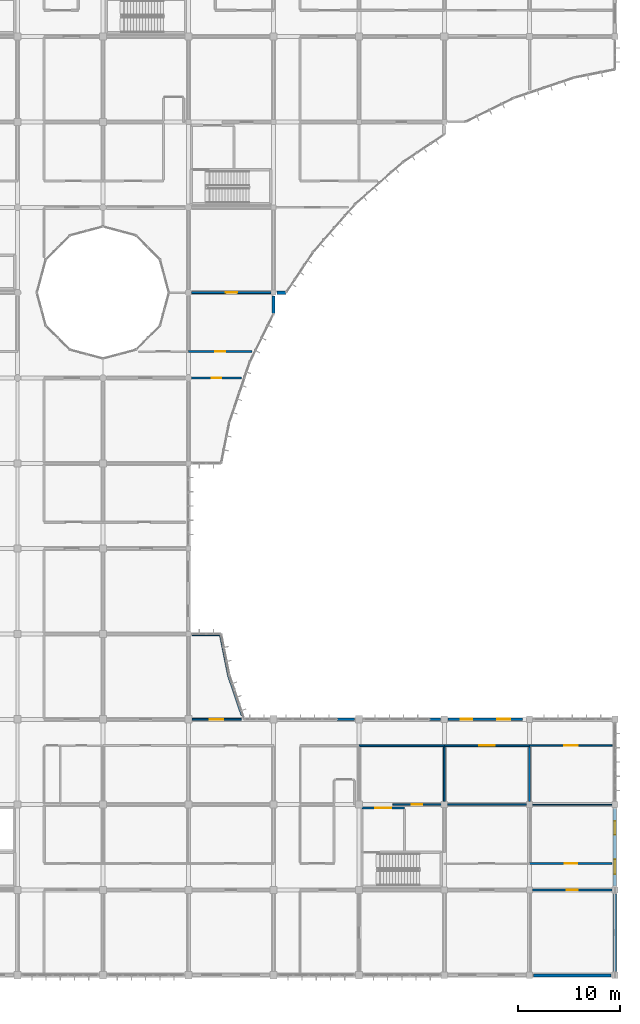
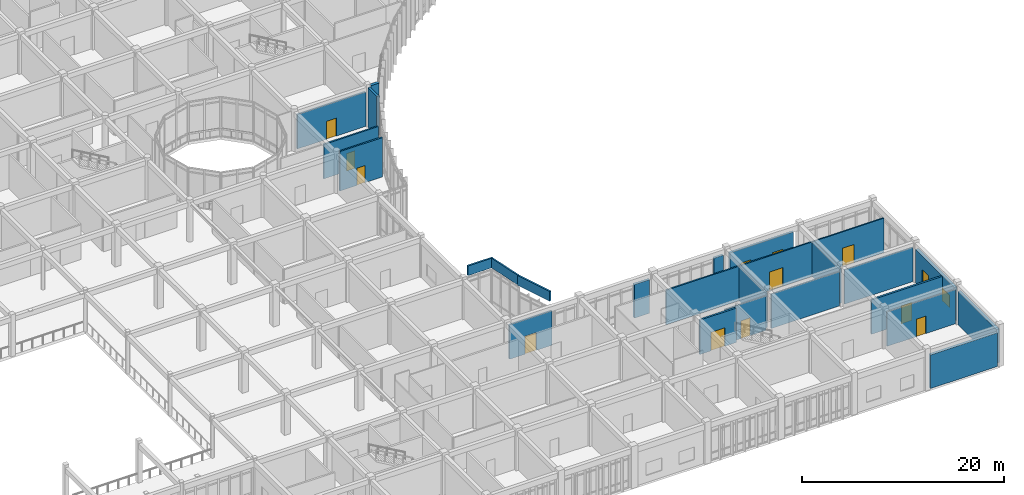
# One storey, part 109 of 134: 26 walls, 10 doors, 4 windows, 14 openings.
"""IFC4 building model written with IfcOpenShell, lengths in metres."""

from ifc_helpers import new_model, si_unit, direction, frame, frame_2d, origin, place, context, subcontext, project, spatial, rectangle, extrude, material, layer, layer_set, type_object, element, fill, save


model = new_model("IFC4")

# Units and contexts
model_context = context("Model", 3, precision=1e-05, world=origin(), true_north=direction((0.0, 1.0)))
body_context = subcontext(model_context, "Body", "Model", "MODEL_VIEW")
ifc_project = project(units=[si_unit("LENGTHUNIT", "METRE"), si_unit("AREAUNIT", "SQUARE_METRE"), si_unit("VOLUMEUNIT", "CUBIC_METRE"), si_unit("PLANEANGLEUNIT", "RADIAN"), si_unit("MASSUNIT", "GRAM", prefix="KILO")], contexts=[model_context])

# Site, building, storey
site_placement = place(None, origin())
site = spatial("IfcSite", under=ifc_project, at=site_placement, CompositionType="ELEMENT")
building_placement = place(site_placement, origin())
building = spatial("IfcBuilding", under=site, at=building_placement, Name="Bramfleet General Hospital", CompositionType="ELEMENT")
storey_placement = place(building_placement, frame((0.0, 0.0, 9.300048828125)))
storey = spatial("IfcBuildingStorey", under=building, at=storey_placement, Name="L02", CompositionType="ELEMENT", Elevation=9.300048828125)

# Wall, openings, windows
ifc_material_1 = material(Name="Precast concrete C40/50", Category="concrete")
ifc_layer_1 = layer(ifc_material_1, 0.3349609375, Name="WT-EW-03")
ifc_layer_set_1 = layer_set([ifc_layer_1], Name="Precast concrete C40/50")
wall_type_1 = type_object("IfcWallType", Name="WT-EW-03", PredefinedType="SOLIDWALL", material=ifc_layer_set_1)
wall_1_placement = place(storey_placement, frame((168.0, 16.425048828125, 0.0), z_axis=(0.0, 0.0, 1.0), x_axis=(0.0, -1.0, 0.0)))
wall_1 = element("IfcWall", 1, at=wall_1_placement, inside=storey, type_object=wall_type_1, Name="L02 Exterior Wall 225", PredefinedType="SOLIDWALL", context=body_context, shape_type="SweptSolid", body=[
    extrude(rectangle(XDim=7.650146484375, YDim=0.3349609375, at=frame_2d((3.8251953125, 0.0))), origin(), (0.0, 0.0, 1.0), 4.070068359375),
])
opening_1_placement = place(wall_1_placement, frame((1.237548828125, 0.0, 0.85009765625)))
opening_1 = element("IfcOpeningElement", 2, at=opening_1_placement, cuts=wall_1, Name="Opening W-24", PredefinedType="OPENING", context=body_context, shape_type="SweptSolid", body=[
    extrude(rectangle(XDim=1.35009765625, YDim=1.5400390625, at=frame_2d((0.675048828125, 0.77001953125))), frame((0.0, 0.177490234375, 0.0), z_axis=(0.0, -1.0, 0.0), x_axis=(1.0, 0.0, 0.0)), (0.0, 0.0, 1.0), 0.35498046875),
])
opening_2_placement = place(wall_1_placement, frame((5.012451171875, 0.0, 0.85009765625)))
opening_2 = element("IfcOpeningElement", 3, at=opening_2_placement, cuts=wall_1, Name="Opening W-25", PredefinedType="OPENING", context=body_context, shape_type="SweptSolid", body=[
    extrude(rectangle(XDim=1.449951171875, YDim=1.5400390625, at=frame_2d((0.72509765625, 0.77001953125))), frame((0.0, 0.177490234375, 0.0), z_axis=(0.0, -1.0, 0.0), x_axis=(1.0, 0.0, 0.0)), (0.0, 0.0, 1.0), 0.35498046875),
])
ifc_material_2 = material(Name="Anodised aluminium and low-E triple glazing", Category="aluminium")
window_type_1 = type_object("IfcWindowType", Name="WIN-W-24", PartitioningType="SINGLE_PANEL", PredefinedType="WINDOW", material=ifc_material_2)
window_1_placement = place(opening_1_placement, origin())
window_1 = element("IfcWindow", 4, at=window_1_placement, inside=storey, type_object=window_type_1, Name="L02 Facade Window WIN-L02-225-1", OverallHeight=1.5400390625, OverallWidth=1.35009765625, PartitioningType="SINGLE_PANEL", PredefinedType="WINDOW", context=body_context, shape_type="SweptSolid", body=[
    extrude(rectangle(XDim=1.35009765625, YDim=1.5400390625, at=frame_2d((0.675048828125, 0.77001953125))), frame((0.0, 0.030029296875, 0.0), z_axis=(0.0, -1.0, 0.0), x_axis=(1.0, 0.0, 0.0)), (0.0, 0.0, 1.0), 0.06005859375),
])
fill(opening_1, window_1)
window_type_2 = type_object("IfcWindowType", Name="WIN-W-25", PartitioningType="SINGLE_PANEL", PredefinedType="WINDOW", material=ifc_material_2)
window_2_placement = place(opening_2_placement, origin())
window_2 = element("IfcWindow", 5, at=window_2_placement, inside=storey, type_object=window_type_2, Name="L02 Facade Window WIN-L02-225-2", OverallHeight=1.5400390625, OverallWidth=1.449951171875, PartitioningType="SINGLE_PANEL", PredefinedType="WINDOW", context=body_context, shape_type="SweptSolid", body=[
    extrude(rectangle(XDim=1.449951171875, YDim=1.5400390625, at=frame_2d((0.72509765625, 0.77001953125))), frame((0.0, 0.030029296875, 0.0), z_axis=(0.0, -1.0, 0.0), x_axis=(1.0, 0.0, 0.0)), (0.0, 0.0, 1.0), 0.06005859375),
])
fill(opening_2, window_2)

# Walls
ifc_layer_2 = layer(ifc_material_1, 0.31494140625, Name="WT-EW-04")
ifc_layer_set_2 = layer_set([ifc_layer_2], Name="Precast concrete C40/50")
wall_type_2 = type_object("IfcWallType", Name="WT-EW-04", PredefinedType="SOLIDWALL", material=ifc_layer_set_2)
wall_2_placement = place(storey_placement, frame((135.633056640625, 67.199951171875, 0.0), z_axis=(0.0, 0.0, 1.0), x_axis=(-1.0, 0.0, 0.0)))
element("IfcWall", 6, at=wall_2_placement, inside=storey, type_object=wall_type_2, Name="L02 Exterior Wall 219", PredefinedType="SOLIDWALL", context=body_context, shape_type="SweptSolid", body=[
    extrude(rectangle(XDim=0.907958984375, YDim=0.31494140625, at=frame_2d((0.4541015625, 0.0))), origin(), (0.0, 0.0, 1.0), 4.77001953125),
])
wall_3_placement = place(storey_placement, frame((168.0, 8.02490234375, 0.0), z_axis=(0.0, 0.0, 1.0), x_axis=(0.0, -1.0, 0.0)))
element("IfcWall", 7, at=wall_3_placement, inside=storey, type_object=wall_type_2, Name="L02 Exterior Wall 226", PredefinedType="SOLIDWALL", context=body_context, shape_type="SweptSolid", body=[
    extrude(rectangle(XDim=7.64990234375, YDim=0.31494140625, at=frame_2d((3.824951171875, 0.0))), origin(), (0.0, 0.0, 1.0), 4.070068359375),
])
ifc_layer_3 = layer(ifc_material_1, 0.294921875, Name="WT-EW-05")
ifc_layer_set_3 = layer_set([ifc_layer_3], Name="Precast concrete C40/50")
wall_type_3 = type_object("IfcWallType", Name="WT-EW-05", PredefinedType="SOLIDWALL", material=ifc_layer_set_3)
wall_4_placement = place(storey_placement, frame((134.39990234375, 66.875, 0.0), z_axis=(0.0, 0.0, 1.0), x_axis=(0.0, -1.0, 0.0)))
element("IfcWall", 8, at=wall_4_placement, inside=storey, type_object=wall_type_3, Name="L02 Exterior Wall 220", PredefinedType="SOLIDWALL", context=body_context, shape_type="SweptSolid", body=[
    extrude(rectangle(XDim=1.7490234375, YDim=0.294921875, at=frame_2d((0.87451171875, 0.0))), origin(), (0.0, 0.0, 1.0), 4.77001953125),
])
wall_5_placement = place(storey_placement, frame((167.625, 0.0, 0.0), z_axis=(0.0, 0.0, 1.0), x_axis=(-1.0, 0.0, 0.0)))
element("IfcWall", 9, at=wall_5_placement, inside=storey, type_object=wall_type_3, Name="L02 Exterior Wall 227", PredefinedType="SOLIDWALL", context=body_context, shape_type="SweptSolid", body=[
    extrude(rectangle(XDim=7.64990234375, YDim=0.294921875, at=frame_2d((3.824951171875, 0.0))), origin(), (0.0, 0.0, 1.0), 4.070068359375),
])
ifc_layer_4 = layer(ifc_material_1, 0.264892578125, Name="WT-EW-07")
ifc_layer_set_4 = layer_set([ifc_layer_4], Name="Precast concrete C40/50")
wall_type_4 = type_object("IfcWallType", Name="WT-EW-07", PredefinedType="SOLIDWALL", material=ifc_layer_set_4)
wall_6_placement = place(storey_placement, frame((140.64111328125, 25.199951171875, 0.0), z_axis=(0.0, 0.0, 1.0), x_axis=(1.0, 0.0, 0.0)))
element("IfcWall", 10, at=wall_6_placement, inside=storey, type_object=wall_type_4, Name="L02 Exterior Wall 222", PredefinedType="SOLIDWALL", context=body_context, shape_type="SweptSolid", body=[
    extrude(rectangle(XDim=1.73388671875, YDim=0.264892578125, at=frame_2d((0.866943359375, 0.0))), origin(), (0.0, 0.0, 1.0), 4.070068359375),
])
ifc_layer_5 = layer(ifc_material_1, 0.25, Name="WT-EW-08")
ifc_layer_set_5 = layer_set([ifc_layer_5], Name="Precast concrete C40/50")
wall_type_5 = type_object("IfcWallType", Name="WT-EW-08", PredefinedType="SOLIDWALL", material=ifc_layer_set_5)
wall_7_placement = place(storey_placement, frame((149.760986328125, 25.199951171875, 0.0), z_axis=(0.0, 0.0, 1.0), x_axis=(1.0, 0.0, 0.0)))
element("IfcWall", 11, at=wall_7_placement, inside=storey, type_object=wall_type_5, Name="L02 Exterior Wall 223", PredefinedType="SOLIDWALL", context=body_context, shape_type="SweptSolid", body=[
    extrude(rectangle(XDim=1.06396484375, YDim=0.25, at=frame_2d((0.531982421875, 0.0))), origin(), (0.0, 0.0, 1.0), 4.070068359375),
])

# Wall, openings, windows
ifc_layer_6 = layer(ifc_material_1, 0.235107421875, Name="WT-EW-09")
ifc_layer_set_6 = layer_set([ifc_layer_6], Name="Precast concrete C40/50")
wall_type_6 = type_object("IfcWallType", Name="WT-EW-09", PredefinedType="SOLIDWALL", material=ifc_layer_set_6)
wall_8_placement = place(storey_placement, frame((151.574951171875, 25.199951171875, 0.0), z_axis=(0.0, 0.0, 1.0), x_axis=(1.0, 0.0, 0.0)))
wall_8 = element("IfcWall", 12, at=wall_8_placement, inside=storey, type_object=wall_type_6, Name="L02 Exterior Wall 224", PredefinedType="SOLIDWALL", context=body_context, shape_type="SweptSolid", body=[
    extrude(rectangle(XDim=7.304931640625, YDim=0.235107421875, at=frame_2d((3.65234375, 0.0))), origin(), (0.0, 0.0, 1.0), 4.070068359375),
])
opening_3_placement = place(wall_8_placement, frame((1.251220703125, 0.0, 0.85009765625)))
opening_3 = element("IfcOpeningElement", 13, at=opening_3_placement, cuts=wall_8, Name="Opening W-22", PredefinedType="OPENING", context=body_context, shape_type="SweptSolid", body=[
    extrude(rectangle(XDim=1.14990234375, YDim=1.5400390625, at=frame_2d((0.574951171875, 0.77001953125))), frame((0.0, 0.12744140625, 0.0), z_axis=(0.0, -1.0, 0.0), x_axis=(1.0, 0.0, 0.0)), (0.0, 0.0, 1.0), 0.255126953125),
])
opening_4_placement = place(wall_8_placement, frame((4.853759765625, 0.0, 0.85009765625)))
opening_4 = element("IfcOpeningElement", 14, at=opening_4_placement, cuts=wall_8, Name="Opening W-23", PredefinedType="OPENING", context=body_context, shape_type="SweptSolid", body=[
    extrude(rectangle(XDim=1.25, YDim=1.5400390625, at=frame_2d((0.625, 0.77001953125))), frame((0.0, 0.12744140625, 0.0), z_axis=(0.0, -1.0, 0.0), x_axis=(1.0, 0.0, 0.0)), (0.0, 0.0, 1.0), 0.255126953125),
])
window_type_3 = type_object("IfcWindowType", Name="WIN-W-22", PartitioningType="SINGLE_PANEL", PredefinedType="WINDOW", material=ifc_material_2)
window_3_placement = place(opening_3_placement, origin())
window_3 = element("IfcWindow", 15, at=window_3_placement, inside=storey, type_object=window_type_3, Name="L02 Facade Window WIN-L02-224-1", OverallHeight=1.5400390625, OverallWidth=1.14990234375, PartitioningType="SINGLE_PANEL", PredefinedType="WINDOW", context=body_context, shape_type="SweptSolid", body=[
    extrude(rectangle(XDim=1.14990234375, YDim=1.5400390625, at=frame_2d((0.574951171875, 0.77001953125))), frame((0.0, 0.030029296875, 0.0), z_axis=(0.0, -1.0, 0.0), x_axis=(1.0, 0.0, 0.0)), (0.0, 0.0, 1.0), 0.06005859375),
])
fill(opening_3, window_3)
window_type_4 = type_object("IfcWindowType", Name="WIN-W-23", PartitioningType="SINGLE_PANEL", PredefinedType="WINDOW", material=ifc_material_2)
window_4_placement = place(opening_4_placement, origin())
window_4 = element("IfcWindow", 16, at=window_4_placement, inside=storey, type_object=window_type_4, Name="L02 Facade Window WIN-L02-224-2", OverallHeight=1.5400390625, OverallWidth=1.25, PartitioningType="SINGLE_PANEL", PredefinedType="WINDOW", context=body_context, shape_type="SweptSolid", body=[
    extrude(rectangle(XDim=1.25, YDim=1.5400390625, at=frame_2d((0.625, 0.77001953125))), frame((0.0, 0.030029296875, 0.0), z_axis=(0.0, -1.0, 0.0), x_axis=(1.0, 0.0, 0.0)), (0.0, 0.0, 1.0), 0.06005859375),
])
fill(opening_4, window_4)

# Wall, opening, door
ifc_material_3 = material(Name="Concrete C35/45", Category="concrete")
ifc_layer_7 = layer(ifc_material_3, 0.219970703125, Name="WT-IW-01")
ifc_layer_set_7 = layer_set([ifc_layer_7], Name="Concrete C35/45")
wall_type_7 = type_object("IfcWallType", Name="WT-IW-01", PredefinedType="PARTITIONING", material=ifc_layer_set_7)
wall_9_placement = place(storey_placement, frame((159.60009765625, 11.0, 0.0), z_axis=(0.0, 0.0, 1.0), x_axis=(1.0, 0.0, 0.0)))
wall_9 = element("IfcWall", 17, at=wall_9_placement, inside=storey, type_object=wall_type_7, Name="L02 Interior Partition IW-L02-1945", PredefinedType="PARTITIONING", context=body_context, shape_type="SweptSolid", body=[
    extrude(rectangle(XDim=8.119873046875, YDim=0.219970703125, at=frame_2d((4.06005859375, 0.0))), origin(), (0.0, 0.0, 1.0), 4.169921875),
])
opening_5_placement = place(wall_9_placement, frame((3.449951171875, 0.0, 0.0)))
opening_5 = element("IfcOpeningElement", 18, at=opening_5_placement, cuts=wall_9, Name="Opening D1015", PredefinedType="OPENING", context=body_context, shape_type="SweptSolid", body=[
    extrude(rectangle(XDim=1.219970703125, YDim=2.179931640625, at=frame_2d((0.60986328125, 1.08984375))), frame((0.0, 0.119873046875, 0.0), z_axis=(0.0, -1.0, 0.0), x_axis=(1.0, 0.0, 0.0)), (0.0, 0.0, 1.0), 0.239990234375),
])
ifc_material_4 = material(Name="Stainless steel and acoustic timber leaf", Category="steel")
door_type_1 = type_object("IfcDoorType", Name="DR-D-23", OperationType="NOTDEFINED", PredefinedType="DOOR", material=ifc_material_4)
door_1_placement = place(opening_5_placement, origin())
door_1 = element("IfcDoor", 19, at=door_1_placement, inside=storey, type_object=door_type_1, Name="Outpatient Physiotherapy Clinic L02-1901 Door D1015", OperationType="SINGLE_SWING_RIGHT", OverallHeight=2.179931640625, OverallWidth=1.219970703125, PredefinedType="DOOR", context=body_context, shape_type="SweptSolid", body=[
    extrude(rectangle(XDim=1.219970703125, YDim=2.179931640625, at=frame_2d((0.60986328125, 1.08984375))), frame((0.0, 0.02490234375, 0.0), z_axis=(0.0, -1.0, 0.0), x_axis=(1.0, 0.0, 0.0)), (0.0, 0.0, 1.0), 0.050048828125),
])
fill(opening_5, door_1)

# Wall
wall_10_placement = place(storey_placement, frame((159.60009765625, 17.094970703125, 0.0), z_axis=(0.0, 0.0, 1.0), x_axis=(0.0, 1.0, 0.0)))
element("IfcWall", 20, at=wall_10_placement, inside=storey, type_object=wall_type_7, Name="L02 Interior Partition IW-L02-2449", PredefinedType="PARTITIONING", context=body_context, shape_type="SweptSolid", body=[
    extrude(rectangle(XDim=5.39013671875, YDim=0.219970703125, at=frame_2d((2.695068359375, 0.0))), origin(), (0.0, 0.0, 1.0), 4.169921875),
])

# Wall, opening, door
ifc_layer_8 = layer(ifc_material_3, 0.205078125, Name="WT-IW-02")
ifc_layer_set_8 = layer_set([ifc_layer_8], Name="Concrete C35/45")
wall_type_8 = type_object("IfcWallType", Name="WT-IW-02", PredefinedType="PARTITIONING", material=ifc_layer_set_8)
wall_11_placement = place(storey_placement, frame((143.10009765625, 16.47998046875, 0.0), z_axis=(0.0, 0.0, 1.0), x_axis=(1.0, 0.0, 0.0)))
wall_11 = element("IfcWall", 21, at=wall_11_placement, inside=storey, type_object=wall_type_8, Name="L02 C10 Lobby North Compartment Wall", PredefinedType="PARTITIONING", context=body_context, shape_type="SweptSolid", body=[
    extrude(rectangle(XDim=4.179931640625, YDim=0.205078125, at=frame_2d((2.08984375, 0.0))), origin(), (0.0, 0.0, 1.0), 4.169921875),
])
opening_6_placement = place(wall_11_placement, frame((1.2900390625, 0.0, 0.0)))
opening_6 = element("IfcOpeningElement", 22, at=opening_6_placement, cuts=wall_11, Name="Opening D0130", PredefinedType="OPENING", context=body_context, shape_type="SweptSolid", body=[
    extrude(rectangle(XDim=1.60009765625, YDim=2.25, at=frame_2d((0.800048828125, 1.125))), frame((0.0, 0.112548828125, 0.0), z_axis=(0.0, -1.0, 0.0), x_axis=(1.0, 0.0, 0.0)), (0.0, 0.0, 1.0), 0.22509765625),
])
door_type_2 = type_object("IfcDoorType", Name="DR-D-04", OperationType="NOTDEFINED", PredefinedType="DOOR", material=ifc_material_4)
door_2_placement = place(opening_6_placement, origin())
door_2 = element("IfcDoor", 23, at=door_2_placement, inside=storey, type_object=door_type_2, Name="L02 C10 Lobby Fire Door D0130", OperationType="DOUBLE_SWING_LEFT", OverallHeight=2.25, OverallWidth=1.60009765625, PredefinedType="DOOR", context=body_context, shape_type="SweptSolid", body=[
    extrude(rectangle(XDim=1.60009765625, YDim=2.25, at=frame_2d((0.800048828125, 1.125))), frame((0.0, 0.02490234375, 0.0), z_axis=(0.0, -1.0, 0.0), x_axis=(1.0, 0.0, 0.0)), (0.0, 0.0, 1.0), 0.050048828125),
])
fill(opening_6, door_2)

ifc_layer_9 = layer(ifc_material_3, 0.179931640625, Name="WT-IW-04")
ifc_layer_set_9 = layer_set([ifc_layer_9], Name="Concrete C35/45")
wall_type_9 = type_object("IfcWallType", Name="WT-IW-04", PredefinedType="PARTITIONING", material=ifc_layer_set_9)
wall_12_placement = place(storey_placement, frame((126.344970703125, 25.199951171875, 0.0), z_axis=(0.0, 0.0, 1.0), x_axis=(1.0, 0.0, 0.0)))
wall_12 = element("IfcWall", 24, at=wall_12_placement, inside=storey, type_object=wall_type_9, Name="L02 Interior Partition IW-L02-1966", PredefinedType="PARTITIONING", context=body_context, shape_type="SweptSolid", body=[
    extrude(rectangle(XDim=4.88037109375, YDim=0.179931640625, at=frame_2d((2.440185546875, 0.0))), origin(), (0.0, 0.0, 1.0), 4.169921875),
])
opening_7_placement = place(wall_12_placement, frame((1.7802734375, 0.0, 0.0)))
opening_7 = element("IfcOpeningElement", 25, at=opening_7_placement, cuts=wall_12, Name="Opening D0984", PredefinedType="OPENING", context=body_context, shape_type="SweptSolid", body=[
    extrude(rectangle(XDim=1.320068359375, YDim=2.179931640625, at=frame_2d((0.66015625, 1.08984375))), frame((0.0, 0.099853515625, 0.0), z_axis=(0.0, -1.0, 0.0), x_axis=(1.0, 0.0, 0.0)), (0.0, 0.0, 1.0), 0.199951171875),
])
door_type_3 = type_object("IfcDoorType", Name="DR-D-24", OperationType="NOTDEFINED", PredefinedType="DOOR", material=ifc_material_4)
door_3_placement = place(opening_7_placement, origin())
door_3 = element("IfcDoor", 26, at=door_3_placement, inside=storey, type_object=door_type_3, Name="Interventional Cardiology Cath Lab L02-1503 Door D0984", OperationType="SINGLE_SWING_LEFT", OverallHeight=2.179931640625, OverallWidth=1.320068359375, PredefinedType="DOOR", context=body_context, shape_type="SweptSolid", body=[
    extrude(rectangle(XDim=1.320068359375, YDim=2.179931640625, at=frame_2d((0.66015625, 1.08984375))), frame((0.0, 0.02490234375, 0.0), z_axis=(0.0, -1.0, 0.0), x_axis=(1.0, 0.0, 0.0)), (0.0, 0.0, 1.0), 0.050048828125),
])
fill(opening_7, door_3)

wall_13_placement = place(storey_placement, frame((126.320068359375, 58.800048828125, 0.0), z_axis=(0.0, 0.0, 1.0), x_axis=(1.0, 0.0, 0.0)))
wall_13 = element("IfcWall", 27, at=wall_13_placement, inside=storey, type_object=wall_type_9, Name="L02 Interior Partition IW-L02-1984", PredefinedType="PARTITIONING", context=body_context, shape_type="SweptSolid", body=[
    extrude(rectangle(XDim=4.90576171875, YDim=0.179931640625, at=frame_2d((2.452880859375, 0.0))), origin(), (0.0, 0.0, 1.0), 4.77001953125),
])
opening_8_placement = place(wall_13_placement, frame((1.992919921875, 0.0, 0.0)))
opening_8 = element("IfcOpeningElement", 28, at=opening_8_placement, cuts=wall_13, Name="Opening D0985", PredefinedType="OPENING", context=body_context, shape_type="SweptSolid", body=[
    extrude(rectangle(XDim=0.919921875, YDim=2.080078125, at=frame_2d((0.4599609375, 1.0400390625))), frame((0.0, 0.099853515625, 0.0), z_axis=(0.0, -1.0, 0.0), x_axis=(1.0, 0.0, 0.0)), (0.0, 0.0, 1.0), 0.199951171875),
])
door_type_4 = type_object("IfcDoorType", Name="DR-D-25", OperationType="NOTDEFINED", PredefinedType="DOOR", material=ifc_material_4)
door_4_placement = place(opening_8_placement, origin())
door_4 = element("IfcDoor", 29, at=door_4_placement, inside=storey, type_object=door_type_4, Name="Interventional Cardiology Cath Lab L02-1506 Door D0985", OperationType="SINGLE_SWING_RIGHT", OverallHeight=2.080078125, OverallWidth=0.919921875, PredefinedType="DOOR", context=body_context, shape_type="SweptSolid", body=[
    extrude(rectangle(XDim=0.919921875, YDim=2.080078125, at=frame_2d((0.4599609375, 1.0400390625))), frame((0.0, 0.02490234375, 0.0), z_axis=(0.0, -1.0, 0.0), x_axis=(1.0, 0.0, 0.0)), (0.0, 0.0, 1.0), 0.050048828125),
])
fill(opening_8, door_4)

wall_14_placement = place(storey_placement, frame((126.0, 61.39990234375, 0.0), z_axis=(0.0, 0.0, 1.0), x_axis=(1.0, 0.0, 0.0)))
wall_14 = element("IfcWall", 30, at=wall_14_placement, inside=storey, type_object=wall_type_9, Name="L02 Interior Partition IW-L02-1999", PredefinedType="PARTITIONING", context=body_context, shape_type="SweptSolid", body=[
    extrude(rectangle(XDim=6.250244140625, YDim=0.179931640625, at=frame_2d((3.125, 0.0))), origin(), (0.0, 0.0, 1.0), 4.169921875),
])
opening_9_placement = place(wall_14_placement, frame((2.63525390625, 0.0, 0.0)))
opening_9 = element("IfcOpeningElement", 31, at=opening_9_placement, cuts=wall_14, Name="Opening D0986", PredefinedType="OPENING", context=body_context, shape_type="SweptSolid", body=[
    extrude(rectangle(XDim=0.97998046875, YDim=2.1201171875, at=frame_2d((0.489990234375, 1.06005859375))), frame((0.0, 0.099853515625, 0.0), z_axis=(0.0, -1.0, 0.0), x_axis=(1.0, 0.0, 0.0)), (0.0, 0.0, 1.0), 0.199951171875),
])
door_type_5 = type_object("IfcDoorType", Name="DR-D-26", OperationType="NOTDEFINED", PredefinedType="DOOR", material=ifc_material_4)
door_5_placement = place(opening_9_placement, origin())
door_5 = element("IfcDoor", 32, at=door_5_placement, inside=storey, type_object=door_type_5, Name="Interventional Cardiology Cath Lab L02-1507 Door D0986", OperationType="SINGLE_SWING_LEFT", OverallHeight=2.1201171875, OverallWidth=0.97998046875, PredefinedType="DOOR", context=body_context, shape_type="SweptSolid", body=[
    extrude(rectangle(XDim=0.97998046875, YDim=2.1201171875, at=frame_2d((0.489990234375, 1.06005859375))), frame((0.0, 0.02490234375, 0.0), z_axis=(0.0, -1.0, 0.0), x_axis=(1.0, 0.0, 0.0)), (0.0, 0.0, 1.0), 0.050048828125),
])
fill(opening_9, door_5)

wall_15_placement = place(storey_placement, frame((126.320068359375, 67.199951171875, 0.0), z_axis=(0.0, 0.0, 1.0), x_axis=(1.0, 0.0, 0.0)))
wall_15 = element("IfcWall", 33, at=wall_15_placement, inside=storey, type_object=wall_type_9, Name="L02 Interior Partition IW-L02-2014", PredefinedType="PARTITIONING", context=body_context, shape_type="SweptSolid", body=[
    extrude(rectangle(XDim=7.8349609375, YDim=0.179931640625, at=frame_2d((3.91748046875, 0.0))), origin(), (0.0, 0.0, 1.0), 4.169921875),
])
opening_10_placement = place(wall_15_placement, frame((3.357421875, 0.0, 0.0)))
opening_10 = element("IfcOpeningElement", 34, at=opening_10_placement, cuts=wall_15, Name="Opening D0987", PredefinedType="OPENING", context=body_context, shape_type="SweptSolid", body=[
    extrude(rectangle(XDim=1.1201171875, YDim=2.179931640625, at=frame_2d((0.56005859375, 1.08984375))), frame((0.0, 0.099853515625, 0.0), z_axis=(0.0, -1.0, 0.0), x_axis=(1.0, 0.0, 0.0)), (0.0, 0.0, 1.0), 0.199951171875),
])
door_type_6 = type_object("IfcDoorType", Name="DR-D-27", OperationType="NOTDEFINED", PredefinedType="DOOR", material=ifc_material_4)
door_6_placement = place(opening_10_placement, origin())
door_6 = element("IfcDoor", 35, at=door_6_placement, inside=storey, type_object=door_type_6, Name="Interventional Cardiology Cath Lab L02-1508 Door D0987", OperationType="SINGLE_SWING_RIGHT", OverallHeight=2.179931640625, OverallWidth=1.1201171875, PredefinedType="DOOR", context=body_context, shape_type="SweptSolid", body=[
    extrude(rectangle(XDim=1.1201171875, YDim=2.179931640625, at=frame_2d((0.56005859375, 1.08984375))), frame((0.0, 0.02490234375, 0.0), z_axis=(0.0, -1.0, 0.0), x_axis=(1.0, 0.0, 0.0)), (0.0, 0.0, 1.0), 0.050048828125),
])
fill(opening_10, door_6)

# Walls
ifc_material_5 = material(Name="Gypsum plasterboard on acoustic steel studs", Category="steel")
ifc_layer_10 = layer(ifc_material_5, 0.169921875, Name="WT-IW-05")
ifc_layer_set_10 = layer_set([ifc_layer_10], Name="Gypsum plasterboard on acoustic steel studs")
wall_type_10 = type_object("IfcWallType", Name="WT-IW-05", PredefinedType="PARTITIONING", material=ifc_layer_set_10)
wall_16_placement = place(storey_placement, frame((142.800048828125, 22.60009765625, 0.0), z_axis=(0.0, 0.0, 1.0), x_axis=(1.0, 0.0, 0.0)))
element("IfcWall", 36, at=wall_16_placement, inside=storey, type_object=wall_type_10, Name="L02 Interior Partition IW-L02-1961", PredefinedType="PARTITIONING", context=body_context, shape_type="SweptSolid", body=[
    extrude(rectangle(XDim=8.39990234375, YDim=0.169921875, at=frame_2d((4.199951171875, 0.0))), origin(), (0.0, 0.0, 1.0), 4.169921875),
])
wall_17_placement = place(storey_placement, frame((151.199951171875, 17.094970703125, 0.0), z_axis=(0.0, 0.0, 1.0), x_axis=(0.0, 1.0, 0.0)))
element("IfcWall", 37, at=wall_17_placement, inside=storey, type_object=wall_type_10, Name="L02 Interior Partition IW-L02-2441", PredefinedType="PARTITIONING", context=body_context, shape_type="SweptSolid", body=[
    extrude(rectangle(XDim=5.39013671875, YDim=0.169921875, at=frame_2d((2.695068359375, 0.0))), origin(), (0.0, 0.0, 1.0), 4.169921875),
])

# Wall, opening, door
ifc_layer_11 = layer(ifc_material_5, 0.159912109375, Name="WT-IW-06")
ifc_layer_set_11 = layer_set([ifc_layer_11], Name="Gypsum plasterboard on acoustic steel studs")
wall_type_11 = type_object("IfcWallType", Name="WT-IW-06", PredefinedType="PARTITIONING", material=ifc_layer_set_11)
wall_18_placement = place(storey_placement, frame((159.89501953125, 8.39990234375, 0.0), z_axis=(0.0, 0.0, 1.0), x_axis=(1.0, 0.0, 0.0)))
wall_18 = element("IfcWall", 38, at=wall_18_placement, inside=storey, type_object=wall_type_11, Name="L02 Interior Partition IW-L02-1938", PredefinedType="PARTITIONING", context=body_context, shape_type="SweptSolid", body=[
    extrude(rectangle(XDim=7.81005859375, YDim=0.159912109375, at=frame_2d((3.905029296875, 0.0))), origin(), (0.0, 0.0, 1.0), 4.169921875),
])
opening_11_placement = place(wall_18_placement, frame((3.364990234375, 0.0, 0.0)))
opening_11 = element("IfcOpeningElement", 39, at=opening_11_placement, cuts=wall_18, Name="Opening D1014", PredefinedType="OPENING", context=body_context, shape_type="SweptSolid", body=[
    extrude(rectangle(XDim=1.080078125, YDim=2.1201171875, at=frame_2d((0.5400390625, 1.06005859375))), frame((0.0, 0.08984375, 0.0), z_axis=(0.0, -1.0, 0.0), x_axis=(1.0, 0.0, 0.0)), (0.0, 0.0, 1.0), 0.179931640625),
])
door_type_7 = type_object("IfcDoorType", Name="DR-D-22", OperationType="NOTDEFINED", PredefinedType="DOOR", material=ifc_material_4)
door_7_placement = place(opening_11_placement, origin())
door_7 = element("IfcDoor", 40, at=door_7_placement, inside=storey, type_object=door_type_7, Name="Outpatient Physiotherapy Clinic L02-1900 Door D1014", OperationType="SINGLE_SWING_LEFT", OverallHeight=2.1201171875, OverallWidth=1.080078125, PredefinedType="DOOR", context=body_context, shape_type="SweptSolid", body=[
    extrude(rectangle(XDim=1.080078125, YDim=2.1201171875, at=frame_2d((0.5400390625, 1.06005859375))), frame((0.0, 0.02490234375, 0.0), z_axis=(0.0, -1.0, 0.0), x_axis=(1.0, 0.0, 0.0)), (0.0, 0.0, 1.0), 0.050048828125),
])
fill(opening_11, door_7)

wall_19_placement = place(storey_placement, frame((151.199951171875, 22.60009765625, 0.0), z_axis=(0.0, 0.0, 1.0), x_axis=(1.0, 0.0, 0.0)))
wall_19 = element("IfcWall", 41, at=wall_19_placement, inside=storey, type_object=wall_type_11, Name="L02 Interior Partition IW-L02-1962", PredefinedType="PARTITIONING", context=body_context, shape_type="SweptSolid", body=[
    extrude(rectangle(XDim=8.400146484375, YDim=0.159912109375, at=frame_2d((4.2001953125, 0.0))), origin(), (0.0, 0.0, 1.0), 4.169921875),
])
opening_12_placement = place(wall_19_placement, frame((3.429931640625, 0.0, 0.0)))
opening_12 = element("IfcOpeningElement", 42, at=opening_12_placement, cuts=wall_19, Name="Opening D1009", PredefinedType="OPENING", context=body_context, shape_type="SweptSolid", body=[
    extrude(rectangle(XDim=1.5400390625, YDim=2.239990234375, at=frame_2d((0.77001953125, 1.1201171875))), frame((0.0, 0.08984375, 0.0), z_axis=(0.0, -1.0, 0.0), x_axis=(1.0, 0.0, 0.0)), (0.0, 0.0, 1.0), 0.179931640625),
])
door_type_8 = type_object("IfcDoorType", Name="DR-D-17", OperationType="NOTDEFINED", PredefinedType="DOOR", material=ifc_material_4)
door_8_placement = place(opening_12_placement, origin())
door_8 = element("IfcDoor", 43, at=door_8_placement, inside=storey, type_object=door_type_8, Name="Outpatient Physiotherapy Clinic L02-1802 Door D1009", OperationType="SINGLE_SWING_RIGHT", OverallHeight=2.239990234375, OverallWidth=1.5400390625, PredefinedType="DOOR", context=body_context, shape_type="SweptSolid", body=[
    extrude(rectangle(XDim=1.5400390625, YDim=2.239990234375, at=frame_2d((0.77001953125, 1.1201171875))), frame((0.0, 0.02490234375, 0.0), z_axis=(0.0, -1.0, 0.0), x_axis=(1.0, 0.0, 0.0)), (0.0, 0.0, 1.0), 0.050048828125),
])
fill(opening_12, door_8)

ifc_layer_12 = layer(ifc_material_5, 0.14990234375, Name="WT-IW-07")
ifc_layer_set_12 = layer_set([ifc_layer_12], Name="Gypsum plasterboard on acoustic steel studs")
wall_type_12 = type_object("IfcWallType", Name="WT-IW-07", PredefinedType="PARTITIONING", material=ifc_layer_set_12)
wall_20_placement = place(storey_placement, frame((159.60009765625, 22.60009765625, 0.0), z_axis=(0.0, 0.0, 1.0), x_axis=(1.0, 0.0, 0.0)))
wall_20 = element("IfcWall", 44, at=wall_20_placement, inside=storey, type_object=wall_type_12, Name="L02 Interior Partition IW-L02-1963", PredefinedType="PARTITIONING", context=body_context, shape_type="SweptSolid", body=[
    extrude(rectangle(XDim=8.119873046875, YDim=0.14990234375, at=frame_2d((4.06005859375, 0.0))), origin(), (0.0, 0.0, 1.0), 4.169921875),
])
opening_13_placement = place(wall_20_placement, frame((3.39990234375, 0.0, 0.0)))
opening_13 = element("IfcOpeningElement", 45, at=opening_13_placement, cuts=wall_20, Name="Opening D1016", PredefinedType="OPENING", context=body_context, shape_type="SweptSolid", body=[
    extrude(rectangle(XDim=1.320068359375, YDim=2.179931640625, at=frame_2d((0.66015625, 1.08984375))), frame((0.0, 0.0849609375, 0.0), z_axis=(0.0, -1.0, 0.0), x_axis=(1.0, 0.0, 0.0)), (0.0, 0.0, 1.0), 0.169921875),
])
door_9_placement = place(opening_13_placement, origin())
door_9 = element("IfcDoor", 46, at=door_9_placement, inside=storey, type_object=door_type_3, Name="Outpatient Physiotherapy Clinic L02-1902 Door D1016", OperationType="SINGLE_SWING_LEFT", OverallHeight=2.179931640625, OverallWidth=1.320068359375, PredefinedType="DOOR", context=body_context, shape_type="SweptSolid", body=[
    extrude(rectangle(XDim=1.320068359375, YDim=2.179931640625, at=frame_2d((0.66015625, 1.08984375))), frame((0.0, 0.02490234375, 0.0), z_axis=(0.0, -1.0, 0.0), x_axis=(1.0, 0.0, 0.0)), (0.0, 0.0, 1.0), 0.050048828125),
])
fill(opening_13, door_9)

ifc_layer_13 = layer(ifc_material_5, 0.139892578125, Name="WT-IW-08")
ifc_layer_set_13 = layer_set([ifc_layer_13], Name="Gypsum plasterboard on acoustic steel studs")
wall_type_13 = type_object("IfcWallType", Name="WT-IW-08", PredefinedType="PARTITIONING", material=ifc_layer_set_13)
wall_21_placement = place(storey_placement, frame((146.14990234375, 16.800048828125, 0.0), z_axis=(0.0, 0.0, 1.0), x_axis=(1.0, 0.0, 0.0)))
wall_21 = element("IfcWall", 47, at=wall_21_placement, inside=storey, type_object=wall_type_13, Name="L02 Interior Partition IW-L02-1952", PredefinedType="PARTITIONING", context=body_context, shape_type="SweptSolid", body=[
    extrude(rectangle(XDim=4.755126953125, YDim=0.139892578125, at=frame_2d((2.37744140625, 0.0))), origin(), (0.0, 0.0, 1.0), 4.169921875),
])
opening_14_placement = place(wall_21_placement, frame((1.8525390625, 0.0, 0.0)))
opening_14 = element("IfcOpeningElement", 48, at=opening_14_placement, cuts=wall_21, Name="Opening D1001", PredefinedType="OPENING", context=body_context, shape_type="SweptSolid", body=[
    extrude(rectangle(XDim=1.050048828125, YDim=2.14990234375, at=frame_2d((0.52490234375, 1.074951171875))), frame((0.0, 0.079833984375, 0.0), z_axis=(0.0, -1.0, 0.0), x_axis=(1.0, 0.0, 0.0)), (0.0, 0.0, 1.0), 0.159912109375),
])
door_type_9 = type_object("IfcDoorType", Name="DR-D-09", OperationType="NOTDEFINED", PredefinedType="DOOR", material=ifc_material_4)
door_10_placement = place(opening_14_placement, origin())
door_10 = element("IfcDoor", 49, at=door_10_placement, inside=storey, type_object=door_type_9, Name="Outpatient Physiotherapy Clinic L02-1702 Door D1001", OperationType="SINGLE_SWING_RIGHT", OverallHeight=2.14990234375, OverallWidth=1.050048828125, PredefinedType="DOOR", context=body_context, shape_type="SweptSolid", body=[
    extrude(rectangle(XDim=1.050048828125, YDim=2.14990234375, at=frame_2d((0.52490234375, 1.074951171875))), frame((0.0, 0.02490234375, 0.0), z_axis=(0.0, -1.0, 0.0), x_axis=(1.0, 0.0, 0.0)), (0.0, 0.0, 1.0), 0.050048828125),
])
fill(opening_14, door_10)

# Walls
ifc_layer_14 = layer(ifc_material_5, 0.1298828125, Name="WT-IW-09")
ifc_layer_set_14 = layer_set([ifc_layer_14], Name="Gypsum plasterboard on acoustic steel studs")
wall_type_14 = type_object("IfcWallType", Name="WT-IW-09", PredefinedType="PARTITIONING", material=ifc_layer_set_14)
wall_22_placement = place(storey_placement, frame((151.4951171875, 16.800048828125, 0.0), z_axis=(0.0, 0.0, 1.0), x_axis=(1.0, 0.0, 0.0)))
element("IfcWall", 50, at=wall_22_placement, inside=storey, type_object=wall_type_14, Name="L02 Interior Partition IW-L02-1953", PredefinedType="PARTITIONING", context=body_context, shape_type="SweptSolid", body=[
    extrude(rectangle(XDim=7.809814453125, YDim=0.1298828125, at=frame_2d((3.90478515625, 0.0))), origin(), (0.0, 0.0, 1.0), 4.169921875),
])
ifc_layer_15 = layer(ifc_material_5, 0.1201171875, Name="WT-IW-10")
ifc_layer_set_15 = layer_set([ifc_layer_15], Name="Gypsum plasterboard on acoustic steel studs")
wall_type_15 = type_object("IfcWallType", Name="WT-IW-10", PredefinedType="PARTITIONING", material=ifc_layer_set_15)
wall_23_placement = place(storey_placement, frame((159.89501953125, 16.800048828125, 0.0), z_axis=(0.0, 0.0, 1.0), x_axis=(1.0, 0.0, 0.0)))
element("IfcWall", 51, at=wall_23_placement, inside=storey, type_object=wall_type_15, Name="L02 Interior Partition IW-L02-1954", PredefinedType="PARTITIONING", context=body_context, shape_type="SweptSolid", body=[
    extrude(rectangle(XDim=7.81005859375, YDim=0.1201171875, at=frame_2d((3.905029296875, 0.0))), origin(), (0.0, 0.0, 1.0), 4.169921875),
])
ifc_layer_16 = layer(ifc_material_1, 0.199951171875, Name="WT-PW-01")
ifc_layer_set_16 = layer_set([ifc_layer_16], Name="Precast concrete C40/50")
wall_type_16 = type_object("IfcWallType", Name="WT-PW-01", PredefinedType="PARAPET", material=ifc_layer_set_16)
wall_24_placement = place(storey_placement, frame((129.931396484375, 29.541259765625, 5.079833984375), z_axis=(0.0, 0.0, 1.0), x_axis=(0.321446404393, -0.946927773963, 0.0)))
element("IfcWall", 52, at=wall_24_placement, inside=storey, type_object=wall_type_16, Name="Roof Parapet Wall 91", PredefinedType="PARAPET", context=body_context, shape_type="SweptSolid", body=[
    extrude(rectangle(XDim=4.220458984375, YDim=0.199951171875, at=frame_2d((2.1103515625, 0.0))), origin(), (0.0, 0.0, 1.0), 1.170166015625),
])
ifc_layer_17 = layer(ifc_material_1, 0.18505859375, Name="WT-PW-02")
ifc_layer_set_17 = layer_set([ifc_layer_17], Name="Precast concrete C40/50")
wall_type_17 = type_object("IfcWallType", Name="WT-PW-02", PredefinedType="PARAPET", material=ifc_layer_set_17)
wall_25_placement = place(storey_placement, frame((126.3798828125, 33.49755859375, 5.079833984375), z_axis=(0.0, 0.0, 1.0), x_axis=(1.0, 0.0, 0.0)))
element("IfcWall", 53, at=wall_25_placement, inside=storey, type_object=wall_type_17, Name="Roof Parapet Wall 89", PredefinedType="PARAPET", context=body_context, shape_type="SweptSolid", body=[
    extrude(rectangle(XDim=2.85546875, YDim=0.18505859375, at=frame_2d((1.427734375, 0.0))), origin(), (0.0, 0.0, 1.0), 1.170166015625),
])
ifc_layer_18 = layer(ifc_material_1, 0.169921875, Name="WT-PW-03")
ifc_layer_set_18 = layer_set([ifc_layer_18], Name="Precast concrete C40/50")
wall_type_18 = type_object("IfcWallType", Name="WT-PW-03", PredefinedType="PARAPET", material=ifc_layer_set_18)
wall_26_placement = place(storey_placement, frame((129.14208984375, 33.58154296875, 5.079833984375), z_axis=(0.0, 0.0, 1.0), x_axis=(0.195085981744, -0.980786143727, 0.0)))
element("IfcWall", 54, at=wall_26_placement, inside=storey, type_object=wall_type_18, Name="Roof Parapet Wall 90", PredefinedType="PARAPET", context=body_context, shape_type="SweptSolid", body=[
    extrude(rectangle(XDim=4.102294921875, YDim=0.169921875, at=frame_2d((2.05126953125, 0.0))), origin(), (0.0, 0.0, 1.0), 1.170166015625),
])

save(model, "model.ifc")
